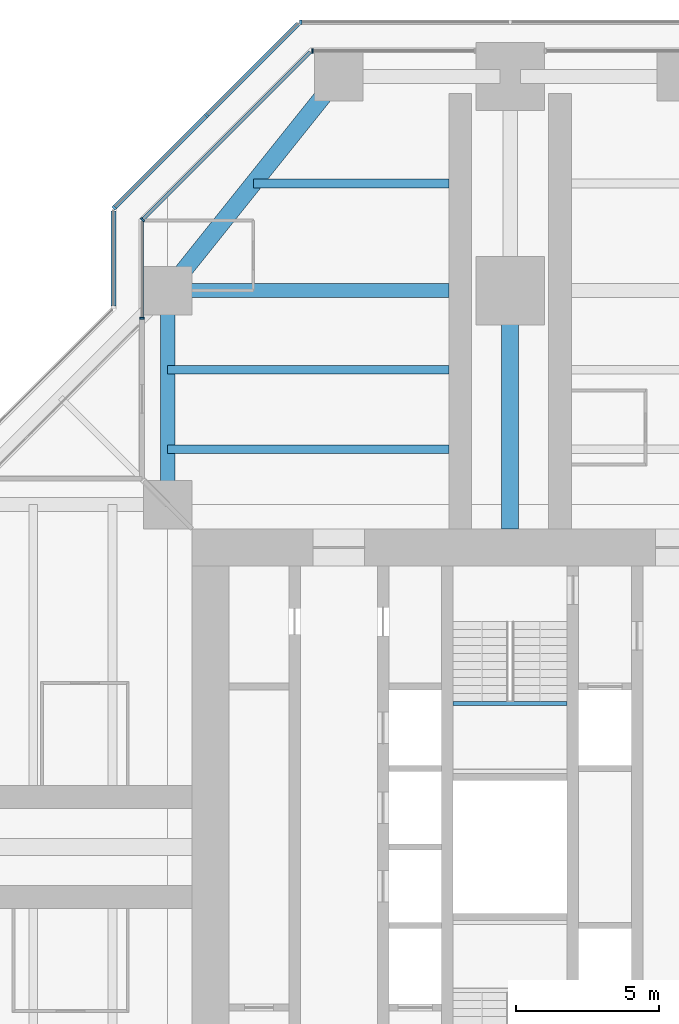
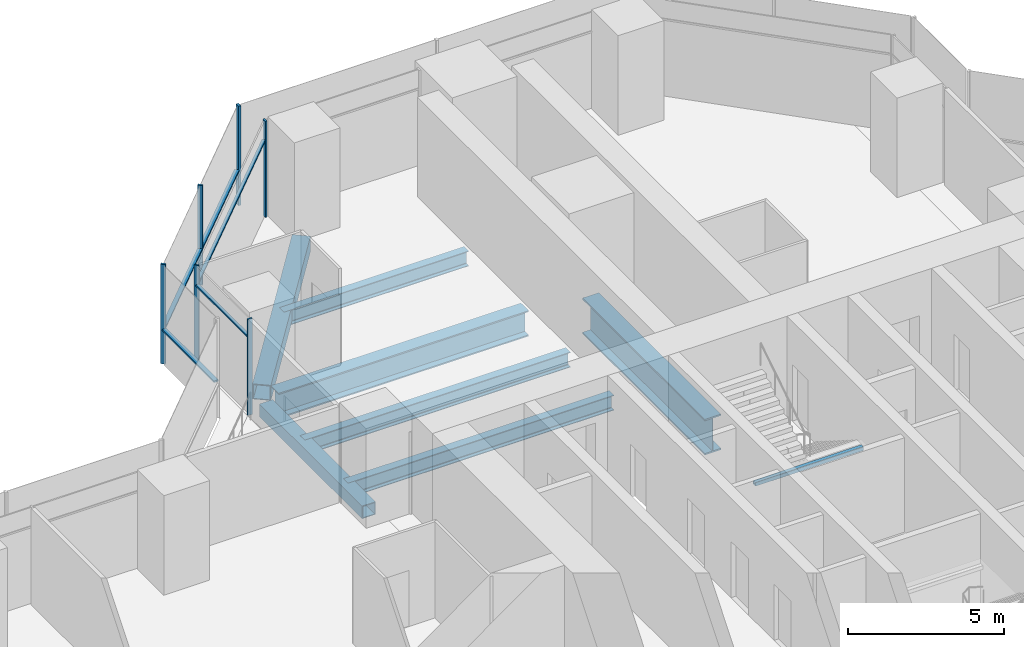
# One storey, part 8 of 20: 11 members, 8 beams, 6 elements without a shape of their own.
"""IFC4 building model written with IfcOpenShell, lengths in metres."""

from ifc_helpers import new_model, si_unit, direction, frame, origin, origin_2d, place, context, subcontext, project, spatial, rectangle, hollow_rectangle, i_section, extrude, material, material_profile, profile_set, type_object, element, aggregate, save


model = new_model("IFC4")

# Units and contexts
model_context = context("Model", 3, precision=1e-05, world=origin(), true_north=direction((0.0, 1.0)))
body_context = subcontext(model_context, "Body", "Model", "MODEL_VIEW")
ifc_project = project(units=[si_unit("LENGTHUNIT", "METRE"), si_unit("AREAUNIT", "SQUARE_METRE"), si_unit("VOLUMEUNIT", "CUBIC_METRE"), si_unit("PLANEANGLEUNIT", "RADIAN"), si_unit("MASSUNIT", "GRAM", prefix="KILO")], contexts=[model_context])

# Site, building, storey
site_placement = place(None, origin())
site = spatial("IfcSite", under=ifc_project, at=site_placement, CompositionType="ELEMENT")
building_placement = place(site_placement, origin())
building = spatial("IfcBuilding", under=site, at=building_placement, Name="Mizan Broadcast Tower", CompositionType="ELEMENT")
storey_placement = place(building_placement, frame((0.0, 0.0, 147.60009765625)))
storey = spatial("IfcBuildingStorey", under=building, at=storey_placement, Name="L33", CompositionType="ELEMENT", Elevation=147.60009765625)

# Beams
ifc_material_1 = material(Name="Steel S355", Category="steel")
ifc_material_profile_1 = material_profile(ifc_material_1, hollow_rectangle(XDim=0.5, YDim=0.5, WallThickness=0.030029296875, at=origin_2d()), Name="BOX 500x500x30")
ifc_profile_set_1 = profile_set([ifc_material_profile_1], Name="Steel S355")
beam_type_1 = type_object("IfcBeamType", Name="EDGE BEAM BOX 500x500x30", PredefinedType="SPANDREL", material=ifc_profile_set_1)
beam_1_placement = place(storey_placement, frame((-12.0, 12.449951171875, -0.380126953125), z_axis=(0.0, 1.0, 0.0), x_axis=(-1.0, 0.0, 0.0)))
element("IfcBeam", 1, at=beam_1_placement, inside=storey, type_object=beam_type_1, Name="Edge beam BOX 500x500x30 L33 north arm", PredefinedType="SPANDREL", context=body_context, shape_type="SweptSolid", body=[
    extrude(hollow_rectangle(XDim=0.5, YDim=0.5, WallThickness=0.030029296875, at=origin_2d()), origin(), (0.0, 0.0, 1.0), 6.60009765625),
])
ifc_material_2 = material(Name="Steel S355", Category="steel")
ifc_material_profile_2 = material_profile(ifc_material_2, hollow_rectangle(XDim=0.60009765625, YDim=0.60009765625, WallThickness=0.030029296875, at=origin_2d()), Name="BOX 600x600x30")
ifc_profile_set_2 = profile_set([ifc_material_profile_2], Name="Steel S355")
beam_type_2 = type_object("IfcBeamType", Name="EDGE BEAM BOX 600x600x30", PredefinedType="SPANDREL", material=ifc_profile_set_2)
beam_2_placement = place(storey_placement, frame((-11.639892578125, 19.949951171875, -0.43017578125), z_axis=(0.624673911726, 0.780885717636, 0.0), x_axis=(-0.780885717636, 0.624673911726, 0.0)))
element("IfcBeam", 2, at=beam_2_placement, inside=storey, type_object=beam_type_2, Name="Edge beam BOX 600x600x30 L33 north arm", PredefinedType="SPANDREL", context=body_context, shape_type="SweptSolid", body=[
    extrude(hollow_rectangle(XDim=0.60009765625, YDim=0.60009765625, WallThickness=0.030029296875, at=origin_2d()), origin(), (0.0, 0.0, 1.0), 8.4521484375),
])
ifc_material_3 = material(Name="Steel S460", Category="steel")
ifc_material_profile_3 = material_profile(ifc_material_3, i_section(OverallWidth=0.5, OverallDepth=1.0, WebThickness=0.02490234375, FlangeThickness=0.050048828125, at=origin_2d()), Name="WPG 1000x500")
ifc_profile_set_3 = profile_set([ifc_material_profile_3], Name="Steel S460")
beam_type_3 = type_object("IfcBeamType", Name="GIRDER WPG 1000x500", PredefinedType="BEAM", material=ifc_profile_set_3)
beam_3_placement = place(storey_placement, frame((-11.408935546875, 19.5, -0.630126953125), z_axis=(1.0, 0.0, 0.0), x_axis=(0.0, 1.0, 0.0)))
element("IfcBeam", 3, at=beam_3_placement, inside=storey, type_object=beam_type_3, Name="Girder WPG 1000x500 L33 north arm", PredefinedType="BEAM", context=body_context, shape_type="SweptSolid", body=[
    extrude(i_section(OverallWidth=0.5, OverallDepth=1.0, WebThickness=0.02490234375, FlangeThickness=0.050048828125, at=origin_2d()), origin(), (0.0, 0.0, 1.0), 9.259033203125),
])
ifc_material_4 = material(Name="Steel S460", Category="steel")
ifc_material_profile_4 = material_profile(ifc_material_4, i_section(OverallWidth=0.60009765625, OverallDepth=1.39990234375, WebThickness=0.02490234375, FlangeThickness=0.06005859375, at=origin_2d()), Name="WPG 1400x600")
ifc_profile_set_4 = profile_set([ifc_material_profile_4], Name="Steel S460")
beam_type_4 = type_object("IfcBeamType", Name="GIRDER WPG 1400x600", PredefinedType="BEAM", material=ifc_profile_set_4)
beam_4_placement = place(storey_placement, frame((0.0, 11.14990234375, -0.830078125), z_axis=(0.0, 1.0, 0.0), x_axis=(-1.0, 0.0, 0.0)))
element("IfcBeam", 4, at=beam_4_placement, inside=storey, type_object=beam_type_4, Name="Girder WPG 1400x600 L33 north arm", PredefinedType="BEAM", context=body_context, shape_type="SweptSolid", body=[
    extrude(i_section(OverallWidth=0.60009765625, OverallDepth=1.39990234375, WebThickness=0.02490234375, FlangeThickness=0.06005859375, at=origin_2d()), origin(), (0.0, 0.0, 1.0), 7.84912109375),
])

# Curtain wall, member
ifc_material_5 = material(Name="Aluminium framed glazing", Category="aluminium")
curtain_wall_type_1 = type_object("IfcCurtainWallType", Name="INNER SKIN MID ZONE", PredefinedType="USERDEFINED", material=ifc_material_5)
curtain_wall_1_placement = place(storey_placement, origin())
curtain_wall_1 = element("IfcCurtainWall", 5, at=curtain_wall_1_placement, inside=storey, type_object=curtain_wall_type_1, Name="Inner skin mid zone L33 N end", ObjectType="INNER SKIN MID ZONE", PredefinedType="USERDEFINED")
ifc_material_6 = material(Name="Aluminium, pale anodised", Category="aluminium")
ifc_material_profile_5 = material_profile(ifc_material_6, rectangle(XDim=0.159912109375, YDim=0.06005859375, at=origin_2d()), Name="MULLION 160x60")
ifc_profile_set_5 = profile_set([ifc_material_profile_5], Name="Aluminium, pale anodised")
member_type_1 = type_object("IfcMemberType", Name="INNER SKIN MULLION 60x160", PredefinedType="MULLION", material=ifc_profile_set_5)
member_1_placement = place(storey_placement, frame((-6.928466796875, 27.89990234375, 0.0), z_axis=(0.0, 0.0, 1.0), x_axis=(0.0, -1.0, 0.0)))
member_1 = element("IfcMember", 6, at=member_1_placement, type_object=member_type_1, Name="Inner skin mid zone L33 N end mullion 2", PredefinedType="MULLION", context=body_context, shape_type="SweptSolid", body=[
    extrude(rectangle(XDim=0.159912109375, YDim=0.06005859375, at=origin_2d()), origin(), (0.0, 0.0, 1.0), 3.77001953125),
])
aggregate(curtain_wall_1, [member_1])

curtain_wall_2_placement = place(storey_placement, origin())
curtain_wall_2 = element("IfcCurtainWall", 7, at=curtain_wall_2_placement, inside=storey, type_object=curtain_wall_type_1, Name="Inner skin mid zone L33 N chamfer", ObjectType="INNER SKIN MID ZONE", PredefinedType="USERDEFINED")
member_2_placement = place(storey_placement, frame((-12.87890625, 21.979736328125, 0.0), z_axis=(0.0, 0.0, 1.0), x_axis=(0.707106781187, -0.707106781187, 0.0)))
member_2 = element("IfcMember", 8, at=member_2_placement, type_object=member_type_1, Name="Inner skin mid zone L33 N chamfer mullion 2", PredefinedType="MULLION", context=body_context, shape_type="SweptSolid", body=[
    extrude(rectangle(XDim=0.159912109375, YDim=0.06005859375, at=origin_2d()), origin(), (0.0, 0.0, 1.0), 3.77001953125),
])

curtain_wall_3_placement = place(storey_placement, origin())
curtain_wall_3 = element("IfcCurtainWall", 9, at=curtain_wall_3_placement, inside=storey, type_object=curtain_wall_type_1, Name="Inner skin mid zone L33 N side", ObjectType="INNER SKIN MID ZONE", PredefinedType="USERDEFINED")
member_3_placement = place(storey_placement, frame((-12.89990234375, 18.530029296875, 0.0), z_axis=(0.0, 0.0, 1.0), x_axis=(1.0, 0.0, 0.0)))
member_3 = element("IfcMember", 10, at=member_3_placement, type_object=member_type_1, Name="Inner skin mid zone L33 N side mullion 2", PredefinedType="MULLION", context=body_context, shape_type="SweptSolid", body=[
    extrude(rectangle(XDim=0.159912109375, YDim=0.06005859375, at=origin_2d()), origin(), (0.0, 0.0, 1.0), 3.77001953125),
])

# Member
ifc_material_7 = material(Name="Aluminium, pale anodised", Category="aluminium")
ifc_material_profile_6 = material_profile(ifc_material_7, rectangle(XDim=0.1201171875, YDim=0.06005859375, at=origin_2d()), Name="TRANSOM 120x60")
ifc_profile_set_6 = profile_set([ifc_material_profile_6], Name="Aluminium, pale anodised")
member_type_2 = type_object("IfcMemberType", Name="INNER SKIN TRANSOM 60x120", PredefinedType="USERDEFINED", material=ifc_profile_set_6)
member_4_placement = place(storey_placement, frame((-7.0009765625, 27.857666015625, 3.02978515625), z_axis=(-0.707106781187, -0.707106781187, 0.0), x_axis=(0.707106781187, -0.707106781187, 0.0)))
member_4 = element("IfcMember", 11, at=member_4_placement, type_object=member_type_2, Name="Inner skin mid zone L33 N chamfer transom 1.1", ObjectType="TRANSOM", PredefinedType="USERDEFINED", context=body_context, shape_type="SweptSolid", body=[
    extrude(rectangle(XDim=0.1201171875, YDim=0.06005859375, at=origin_2d()), origin(), (0.0, 0.0, 1.0), 8.28271484375),
])

aggregate(curtain_wall_2, [member_2, member_4])

member_5_placement = place(storey_placement, frame((-12.89990234375, 21.898681640625, 3.02978515625), z_axis=(0.0, -1.0, 0.0), x_axis=(1.0, 0.0, 0.0)))
member_5 = element("IfcMember", 12, at=member_5_placement, type_object=member_type_2, Name="Inner skin mid zone L33 N side transom 1.1", ObjectType="TRANSOM", PredefinedType="USERDEFINED", context=body_context, shape_type="SweptSolid", body=[
    extrude(rectangle(XDim=0.1201171875, YDim=0.06005859375, at=origin_2d()), origin(), (0.0, 0.0, 1.0), 3.338623046875),
])

aggregate(curtain_wall_3, [member_3, member_5])

# Beam
ifc_material_8 = material(Name="Steel S355", Category="steel")
ifc_material_profile_7 = material_profile(ifc_material_8, hollow_rectangle(XDim=0.14990234375, YDim=0.14990234375, WallThickness=0.008056640625, InnerFilletRadius=0.008056640625, OuterFilletRadius=0.011962890625, at=origin_2d()), Name="SHS 150x150x8")
ifc_profile_set_7 = profile_set([ifc_material_profile_7], Name="Steel S355")
beam_type_5 = type_object("IfcBeamType", Name="LANDING TRIMMER SHS 150x150x8", PredefinedType="BEAM", material=ifc_profile_set_7)
beam_5_placement = place(storey_placement, frame((2.0, 5.02490234375, 1.6748046875), z_axis=(-1.0, 0.0, 0.0), x_axis=(0.0, -1.0, 0.0)))
element("IfcBeam", 13, at=beam_5_placement, inside=storey, type_object=beam_type_5, Name="Stair B landing trimmer L33", PredefinedType="BEAM", context=body_context, shape_type="SweptSolid", body=[
    extrude(hollow_rectangle(XDim=0.14990234375, YDim=0.14990234375, WallThickness=0.008056640625, InnerFilletRadius=0.008056640625, OuterFilletRadius=0.011962890625, at=origin_2d()), origin(), (0.0, 0.0, 1.0), 4.0),
])

# Curtain wall, member
ifc_material_9 = material(Name="Aluminium framed glazing", Category="aluminium")
curtain_wall_type_2 = type_object("IfcCurtainWallType", Name="OUTER SKIN", PredefinedType="USERDEFINED", material=ifc_material_9)
curtain_wall_4_placement = place(storey_placement, origin())
curtain_wall_4 = element("IfcCurtainWall", 14, at=curtain_wall_4_placement, inside=storey, type_object=curtain_wall_type_2, Name="Outer skin L33 N end", ObjectType="OUTER SKIN", PredefinedType="USERDEFINED")
ifc_material_10 = material(Name="Aluminium, pale anodised", Category="aluminium")
ifc_material_profile_8 = material_profile(ifc_material_10, rectangle(XDim=0.159912109375, YDim=0.080078125, at=origin_2d()), Name="MULLION 160x80")
ifc_profile_set_8 = profile_set([ifc_material_profile_8], Name="Aluminium, pale anodised")
member_type_3 = type_object("IfcMemberType", Name="OUTER SKIN MULLION 80x160", PredefinedType="MULLION", material=ifc_profile_set_8)
member_6_placement = place(storey_placement, frame((-7.332763671875, 28.89990234375, 0.0), z_axis=(0.0, 0.0, 1.0), x_axis=(0.0, -1.0, 0.0)))
member_6 = element("IfcMember", 15, at=member_6_placement, type_object=member_type_3, Name="Outer skin L33 N end mullion 3", PredefinedType="MULLION", context=body_context, shape_type="SweptSolid", body=[
    extrude(rectangle(XDim=0.159912109375, YDim=0.080078125, at=origin_2d()), origin(), (0.0, 0.0, 1.0), 3.89990234375),
])
aggregate(curtain_wall_4, [member_6])

# Curtain wall, members
curtain_wall_5_placement = place(storey_placement, origin())
curtain_wall_5 = element("IfcCurtainWall", 16, at=curtain_wall_5_placement, inside=storey, type_object=curtain_wall_type_2, Name="Outer skin L33 N chamfer", ObjectType="OUTER SKIN", PredefinedType="USERDEFINED")
member_7_placement = place(storey_placement, frame((-10.636474609375, 25.636474609375, 0.0), z_axis=(0.0, 0.0, 1.0), x_axis=(0.707106781187, -0.707106781187, 0.0)))
member_7 = element("IfcMember", 17, at=member_7_placement, type_object=member_type_3, Name="Outer skin L33 N chamfer mullion 2", PredefinedType="MULLION", context=body_context, shape_type="SweptSolid", body=[
    extrude(rectangle(XDim=0.159912109375, YDim=0.080078125, at=origin_2d()), origin(), (0.0, 0.0, 1.0), 3.89990234375),
])
member_8_placement = place(storey_placement, frame((-13.871826171875, 22.401123046875, 0.0), z_axis=(0.0, 0.0, 1.0), x_axis=(0.707106781187, -0.707106781187, 0.0)))
member_8 = element("IfcMember", 18, at=member_8_placement, type_object=member_type_3, Name="Outer skin L33 N chamfer mullion 3", PredefinedType="MULLION", context=body_context, shape_type="SweptSolid", body=[
    extrude(rectangle(XDim=0.159912109375, YDim=0.080078125, at=origin_2d()), origin(), (0.0, 0.0, 1.0), 3.89990234375),
])
ifc_material_11 = material(Name="Aluminium, pale anodised", Category="aluminium")
ifc_material_profile_9 = material_profile(ifc_material_11, rectangle(XDim=0.159912109375, YDim=0.06005859375, at=origin_2d()), Name="TRANSOM 160x60")
ifc_profile_set_9 = profile_set([ifc_material_profile_9], Name="Aluminium, pale anodised")
member_type_4 = type_object("IfcMemberType", Name="OUTER SKIN TRANSOM 60x160", PredefinedType="USERDEFINED", material=ifc_profile_set_9)
member_9_placement = place(storey_placement, frame((-7.429443359375, 28.843505859375, 1.39990234375), z_axis=(-0.707106781187, -0.707106781187, 0.0), x_axis=(0.707106781187, -0.707106781187, 0.0)))
member_9 = element("IfcMember", 19, at=member_9_placement, type_object=member_type_4, Name="Outer skin L33 N chamfer transom 1.1", ObjectType="TRANSOM", PredefinedType="USERDEFINED", context=body_context, shape_type="SweptSolid", body=[
    extrude(rectangle(XDim=0.159912109375, YDim=0.06005859375, at=origin_2d()), origin(), (0.0, 0.0, 1.0), 4.495361328125),
])
member_10_placement = place(storey_placement, frame((-10.664794921875, 25.608154296875, 1.39990234375), z_axis=(-0.707106781187, -0.707106781187, 0.0), x_axis=(0.707106781187, -0.707106781187, 0.0)))
member_10 = element("IfcMember", 20, at=member_10_placement, type_object=member_type_4, Name="Outer skin L33 N chamfer transom 2.1", ObjectType="TRANSOM", PredefinedType="USERDEFINED", context=body_context, shape_type="SweptSolid", body=[
    extrude(rectangle(XDim=0.159912109375, YDim=0.06005859375, at=origin_2d()), origin(), (0.0, 0.0, 1.0), 4.495361328125),
])
aggregate(curtain_wall_5, [member_7, member_8, member_9, member_10])

# Curtain wall, member
curtain_wall_6_placement = place(storey_placement, origin())
curtain_wall_6 = element("IfcCurtainWall", 21, at=curtain_wall_6_placement, inside=storey, type_object=curtain_wall_type_2, Name="Outer skin L33 N side", ObjectType="OUTER SKIN", PredefinedType="USERDEFINED")
member_11_placement = place(storey_placement, frame((-13.89990234375, 22.292724609375, 1.39990234375), z_axis=(0.0, -1.0, 0.0), x_axis=(1.0, 0.0, 0.0)))
member_11 = element("IfcMember", 22, at=member_11_placement, type_object=member_type_4, Name="Outer skin L33 N side transom 1.1", ObjectType="TRANSOM", PredefinedType="USERDEFINED", context=body_context, shape_type="SweptSolid", body=[
    extrude(rectangle(XDim=0.159912109375, YDim=0.06005859375, at=origin_2d()), origin(), (0.0, 0.0, 1.0), 3.33984375),
])
aggregate(curtain_wall_6, [member_11])

# Beams
ifc_material_12 = material(Name="Steel S355", Category="steel")
ifc_material_profile_10 = material_profile(ifc_material_12, i_section(OverallWidth=0.300048828125, OverallDepth=0.590087890625, WebThickness=0.012939453125, FlangeThickness=0.02490234375, FilletRadius=0.027099609375, at=origin_2d()), Name="HEA 600")
ifc_profile_set_10 = profile_set([ifc_material_profile_10], Name="Steel S355")
beam_type_6 = type_object("IfcBeamType", Name="SECONDARY BEAM HEA 600", PredefinedType="JOIST", material=ifc_profile_set_10)
for number, where, z_axis, x_axis, name in (
    (23, (-12.0, 13.933349609375, -0.425048828125), (1.0, 0.0, 0.0), (0.0, 1.0, 0.0), "Secondary beam HEA 600 L33 north arm"),
    (24, (-12.0, 16.716552734375, -0.425048828125), (1.0, 0.0, 0.0), (0.0, 1.0, 0.0), "Secondary beam HEA 600 L33 north arm"),
):
    element("IfcBeam", number, at=place(storey_placement, frame(where, z_axis=z_axis, x_axis=x_axis)), inside=storey, type_object=beam_type_6, Name=name, PredefinedType="JOIST", context=body_context, shape_type="SweptSolid", body=[
        extrude(i_section(OverallWidth=0.300048828125, OverallDepth=0.590087890625, WebThickness=0.012939453125, FlangeThickness=0.02490234375, FilletRadius=0.027099609375, at=origin_2d()), origin(), (0.0, 0.0, 1.0), 9.85009765625),
    ])
beam_6_placement = place(storey_placement, frame((-9.0, 23.25, -0.425048828125), z_axis=(1.0, 0.0, 0.0), x_axis=(0.0, 1.0, 0.0)))
element("IfcBeam", 25, at=beam_6_placement, inside=storey, type_object=beam_type_6, Name="Secondary beam HEA 600 L33 north arm", PredefinedType="JOIST", context=body_context, shape_type="SweptSolid", body=[
    extrude(i_section(OverallWidth=0.300048828125, OverallDepth=0.590087890625, WebThickness=0.012939453125, FlangeThickness=0.02490234375, FilletRadius=0.027099609375, at=origin_2d()), origin(), (0.0, 0.0, 1.0), 6.85009765625),
])

save(model, "model.ifc")
